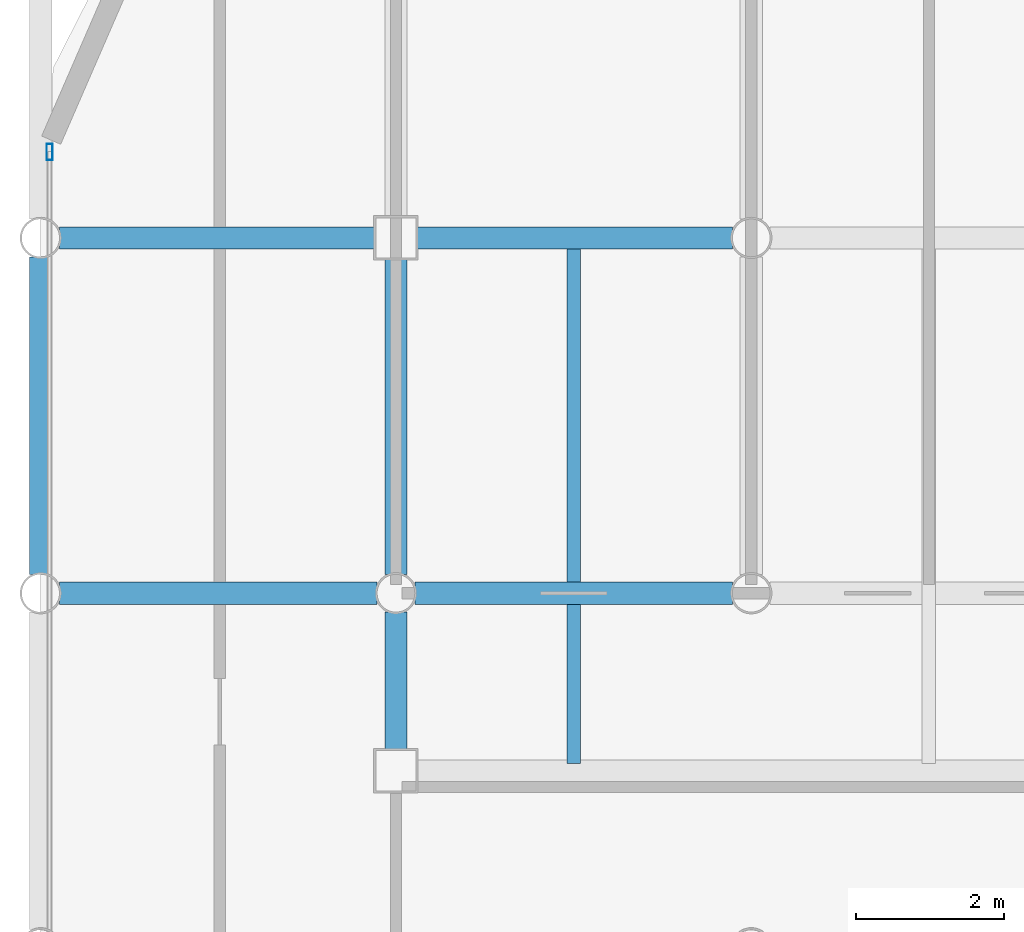
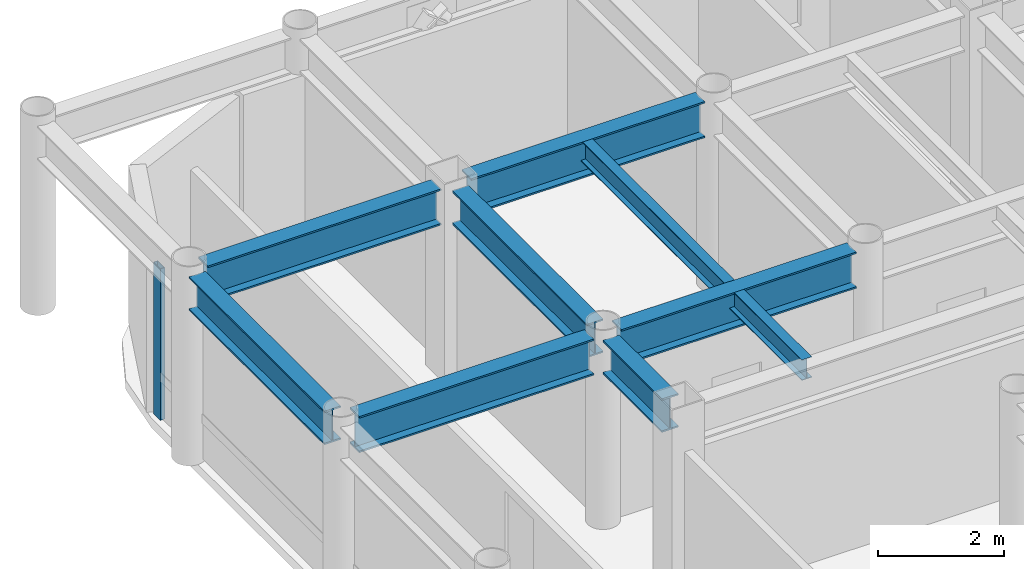
# One storey, part 11 of 22: 8 beams, 1 member, 1 element without a shape of its own.
"""IFC4 building model written with IfcOpenShell, lengths in metres."""

from ifc_helpers import new_model, si_unit, direction, frame, origin, origin_2d, place, context, subcontext, project, spatial, hollow_rectangle, i_section, extrude, material, layer, layer_set, material_profile, profile_set, type_object, element, aggregate, save


model = new_model("IFC4")

# Units and contexts
model_context = context("Model", 3, precision=1e-05, world=origin(), true_north=direction((0.0, 1.0)))
body_context = subcontext(model_context, "Body", "Model", "MODEL_VIEW")
ifc_project = project(units=[si_unit("LENGTHUNIT", "METRE"), si_unit("AREAUNIT", "SQUARE_METRE"), si_unit("VOLUMEUNIT", "CUBIC_METRE"), si_unit("PLANEANGLEUNIT", "RADIAN"), si_unit("MASSUNIT", "GRAM", prefix="KILO")], contexts=[model_context])

# Site, building, storey
site_placement = place(None, origin())
site = spatial("IfcSite", under=ifc_project, at=site_placement, CompositionType="ELEMENT")
building_placement = place(site_placement, origin())
building = spatial("IfcBuilding", under=site, at=building_placement, Name="Kallvorn Hotel Tower", CompositionType="ELEMENT")
storey_placement = place(building_placement, frame((0.0, 0.0, 203.050048828125)))
storey = spatial("IfcBuildingStorey", under=building, at=storey_placement, Name="L50", CompositionType="ELEMENT", Elevation=203.050048828125)

# Beams
ifc_material_1 = material(Name="Structural steel S355JR", Category="steel")
ifc_material_profile_1 = material_profile(ifc_material_1, i_section(OverallWidth=0.300048828125, OverallDepth=0.64990234375, WebThickness=0.01611328125, FlangeThickness=0.031005859375, at=origin_2d()), Name="HE 650 B")
ifc_profile_set_1 = profile_set([ifc_material_profile_1], Name="Structural steel S355JR")
beam_type_1 = type_object("IfcBeamType", Name="BM_HE650B", PredefinedType="BEAM", material=ifc_profile_set_1)
beam_1_placement = place(storey_placement, frame((-28.800048828125, 9.8544921875, 3.344970703125), z_axis=(0.0, 1.0, 0.0), x_axis=(-1.0, 0.0, 0.0)))
element("IfcBeam", 1, at=beam_1_placement, inside=storey, type_object=beam_type_1, Name="L51 Primary Y-Girder 79", PredefinedType="BEAM", context=body_context, shape_type="SweptSolid", body=[
    extrude(i_section(OverallWidth=0.300048828125, OverallDepth=0.64990234375, WebThickness=0.01611328125, FlangeThickness=0.031005859375, at=origin_2d()), origin(), (0.0, 0.0, 1.0), 4.291015625),
])
beam_2_placement = place(storey_placement, frame((-24.0, 7.47509765625, 3.344970703125), z_axis=(0.0, 1.0, 0.0), x_axis=(-1.0, 0.0, 0.0)))
element("IfcBeam", 2, at=beam_2_placement, inside=storey, type_object=beam_type_1, Name="L51 Primary Y-Girder 85", PredefinedType="BEAM", context=body_context, shape_type="SweptSolid", body=[
    extrude(i_section(OverallWidth=0.300048828125, OverallDepth=0.64990234375, WebThickness=0.01611328125, FlangeThickness=0.031005859375, at=origin_2d()), origin(), (0.0, 0.0, 1.0), 1.870361328125),
])
beam_3_placement = place(storey_placement, frame((-24.0, 9.8544921875, 3.344970703125), z_axis=(0.0, 1.0, 0.0), x_axis=(-1.0, 0.0, 0.0)))
element("IfcBeam", 3, at=beam_3_placement, inside=storey, type_object=beam_type_1, Name="L51 Primary Y-Girder 86", PredefinedType="BEAM", context=body_context, shape_type="SweptSolid", body=[
    extrude(i_section(OverallWidth=0.300048828125, OverallDepth=0.64990234375, WebThickness=0.01611328125, FlangeThickness=0.031005859375, at=origin_2d()), origin(), (0.0, 0.0, 1.0), 4.2705078125),
])
ifc_material_2 = material(Name="Structural steel S355JR", Category="steel")
ifc_material_profile_2 = material_profile(ifc_material_2, i_section(OverallWidth=0.300048828125, OverallDepth=0.699951171875, WebThickness=0.01708984375, FlangeThickness=0.031982421875, at=origin_2d()), Name="HE 700 B")
ifc_profile_set_2 = profile_set([ifc_material_profile_2], Name="Structural steel S355JR")
beam_type_2 = type_object("IfcBeamType", Name="BM_HE700B", PredefinedType="BEAM", material=ifc_profile_set_2)
for number, where, z_axis, x_axis, name in (
    (4, (-28.54541015625, 9.60009765625, 3.320068359375), (1.0, 0.0, 0.0), (0.0, 1.0, 0.0), "L51 Primary X-Girder 42"),
    (5, (-23.74560546875, 9.60009765625, 3.320068359375), (1.0, 0.0, 0.0), (0.0, 1.0, 0.0), "L51 Primary X-Girder 43"),
):
    element("IfcBeam", number, at=place(storey_placement, frame(where, z_axis=z_axis, x_axis=x_axis)), inside=storey, type_object=beam_type_2, Name=name, PredefinedType="BEAM", context=body_context, shape_type="SweptSolid", body=[
        extrude(i_section(OverallWidth=0.300048828125, OverallDepth=0.699951171875, WebThickness=0.01708984375, FlangeThickness=0.031982421875, at=origin_2d()), origin(), (0.0, 0.0, 1.0), 4.291015625),
    ])
for number, where, z_axis, x_axis, name in (
    (6, (-28.54541015625, 14.39990234375, 3.320068359375), (1.0, 0.0, 0.0), (0.0, 1.0, 0.0), "L51 Primary X-Girder 51"),
    (7, (-23.72509765625, 14.39990234375, 3.320068359375), (1.0, 0.0, 0.0), (0.0, 1.0, 0.0), "L51 Primary X-Girder 52"),
):
    element("IfcBeam", number, at=place(storey_placement, frame(where, z_axis=z_axis, x_axis=x_axis)), inside=storey, type_object=beam_type_2, Name=name, PredefinedType="BEAM", context=body_context, shape_type="SweptSolid", body=[
        extrude(i_section(OverallWidth=0.300048828125, OverallDepth=0.699951171875, WebThickness=0.01708984375, FlangeThickness=0.031982421875, at=origin_2d()), origin(), (0.0, 0.0, 1.0), 4.2705078125),
    ])
ifc_material_3 = material(Name="Structural steel S355JR", Category="steel")
ifc_material_profile_3 = material_profile(ifc_material_3, i_section(OverallWidth=0.179931640625, OverallDepth=0.39990234375, WebThickness=0.008544921875, FlangeThickness=0.013427734375, at=origin_2d()), Name="IPE 400")
ifc_profile_set_3 = profile_set([ifc_material_profile_3], Name="Structural steel S355JR")
beam_type_3 = type_object("IfcBeamType", Name="BM_IPE400", PredefinedType="JOIST", material=ifc_profile_set_3)
beam_4_placement = place(storey_placement, frame((-21.60009765625, 7.300048828125, 3.469970703125), z_axis=(0.0, 1.0, 0.0), x_axis=(-1.0, 0.0, 0.0)))
element("IfcBeam", 8, at=beam_4_placement, inside=storey, type_object=beam_type_3, Name="L51 Secondary Composite Joist 193", PredefinedType="JOIST", context=body_context, shape_type="SweptSolid", body=[
    extrude(i_section(OverallWidth=0.179931640625, OverallDepth=0.39990234375, WebThickness=0.008544921875, FlangeThickness=0.013427734375, at=origin_2d()), origin(), (0.0, 0.0, 1.0), 7.0),
])

# Curtain wall, member
ifc_material_4 = material(Name="Thermally broken black-anodised aluminium AA 6063-T6", Category="aluminium")
ifc_layer = layer(ifc_material_4, 0.22998046875)
ifc_layer_set = layer_set([ifc_layer], Name="CW_SYS_5_HOTEL_HIGH")
curtain_wall_type = type_object("IfcCurtainWallType", Name="CW_SYS_5_HOTEL_HIGH", PredefinedType="USERDEFINED", material=ifc_layer_set)
curtain_wall_placement = place(storey_placement, origin())
curtain_wall = element("IfcCurtainWall", 9, at=curtain_wall_placement, inside=storey, type_object=curtain_wall_type, Name="L50 Dark-Glass Curtain Wall CW-L50-WN", ObjectType="UNITISED CURTAIN WALL", PredefinedType="USERDEFINED")
ifc_material_5 = material(Name="Thermally broken black-anodised aluminium AA 6063-T6", Category="aluminium")
ifc_material_profile_4 = material_profile(ifc_material_5, hollow_rectangle(XDim=0.080078125, YDim=0.219970703125, WallThickness=0.0048828125, at=origin_2d()), Name="MUL 220x80")
ifc_profile_set_4 = profile_set([ifc_material_profile_4], Name="Thermally broken black-anodised aluminium AA 6063-T6")
member_type = type_object("IfcMemberType", Name="CW_MULLION_220x80", PredefinedType="MULLION", material=ifc_profile_set_4)
member_placement = place(storey_placement, frame((-28.679931640625, 15.56005859375, 0.02001953125), z_axis=(0.0, 0.0, 1.0), x_axis=(1.0, 0.0, 0.0)))
member = element("IfcMember", 10, at=member_placement, type_object=member_type, Name="CW-L50-WN Mullion 01", PredefinedType="MULLION", context=body_context, shape_type="SweptSolid", body=[
    extrude(hollow_rectangle(XDim=0.080078125, YDim=0.219970703125, WallThickness=0.0048828125, at=origin_2d()), origin(), (0.0, 0.0, 1.0), 2.929931640625),
])
aggregate(curtain_wall, [member])

save(model, "model.ifc")
